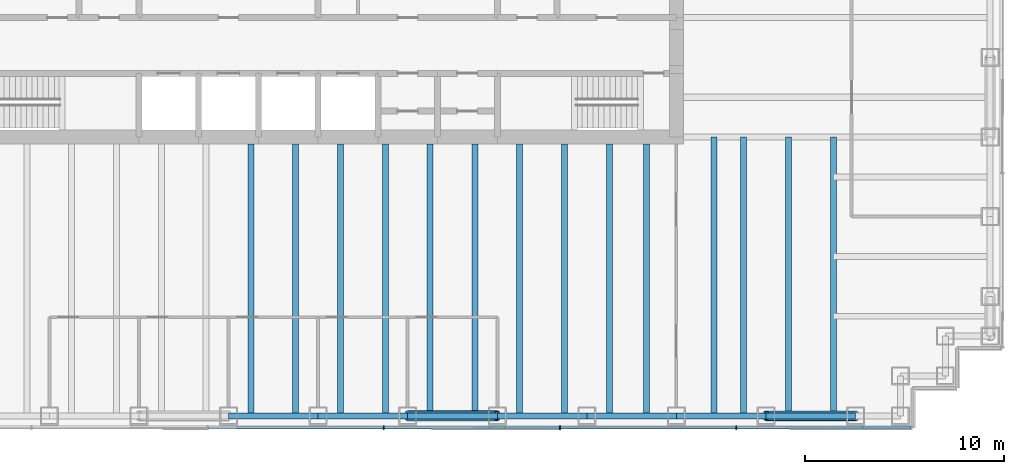
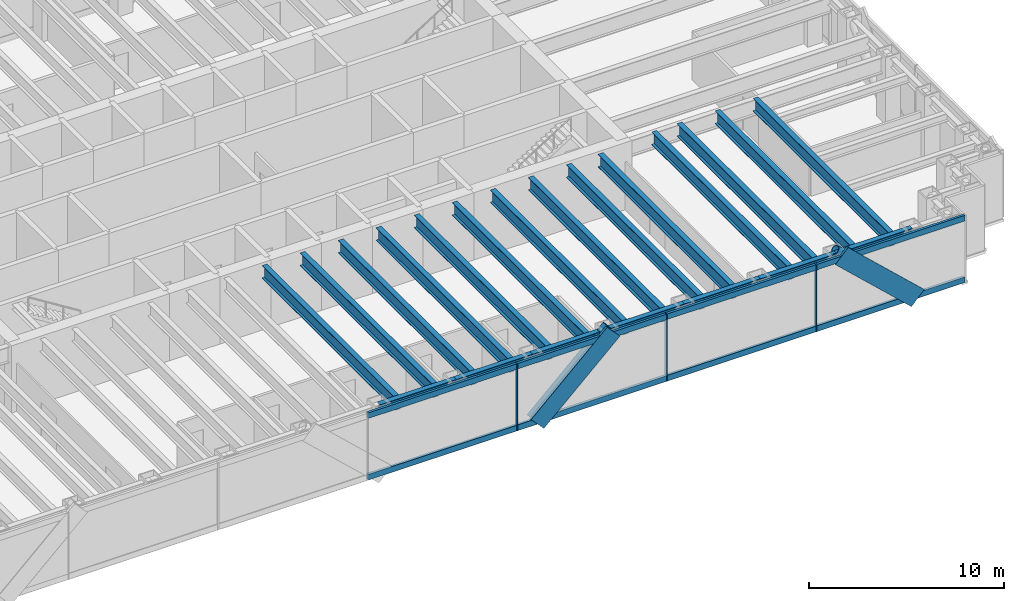
# One storey, part 4 of 15: 21 beams, 15 members, 1 element without a shape of its own.
"""IFC4 building model written with IfcOpenShell, lengths in metres."""

from ifc_helpers import new_model, si_unit, direction, frame, origin, origin_2d, place, context, subcontext, project, spatial, rectangle, hollow_circle, i_section, extrude, material, material_profile, profile_set, type_object, element, aggregate, save


model = new_model("IFC4")

# Units and contexts
model_context = context("Model", 3, precision=1e-05, world=origin(), true_north=direction((0.0, 1.0)))
body_context = subcontext(model_context, "Body", "Model", "MODEL_VIEW")
ifc_project = project(units=[si_unit("LENGTHUNIT", "METRE"), si_unit("AREAUNIT", "SQUARE_METRE"), si_unit("VOLUMEUNIT", "CUBIC_METRE"), si_unit("PLANEANGLEUNIT", "RADIAN"), si_unit("MASSUNIT", "GRAM", prefix="KILO")], contexts=[model_context])

# Site, building, storey
site_placement = place(None, origin())
site = spatial("IfcSite", under=ifc_project, at=site_placement, CompositionType="ELEMENT")
building_placement = place(site_placement, origin())
building = spatial("IfcBuilding", under=site, at=building_placement, Name="Rheinbord Bourse Tower", CompositionType="ELEMENT")
storey_placement = place(building_placement, frame((0.0, 0.0, 308.89990234375)))
storey = spatial("IfcBuildingStorey", under=building, at=storey_placement, Name="L70", CompositionType="ELEMENT", Elevation=308.89990234375)

# Curtain wall, members
ifc_material_1 = material(Name="Dark glass and black aluminium", Category="aluminium")
curtain_wall_type = type_object("IfcCurtainWallType", Name="CW3 DARK GLASS CURTAIN WALL", PredefinedType="USERDEFINED", material=ifc_material_1)
curtain_wall_placement = place(storey_placement, origin())
curtain_wall = element("IfcCurtainWall", 1, at=curtain_wall_placement, inside=storey, type_object=curtain_wall_type, Name="Curtain wall CW3 S L70", ObjectType="UNITISED CURTAIN WALL", PredefinedType="USERDEFINED")
ifc_material_2 = material(Name="Black anodised aluminium", Category="aluminium")
ifc_material_profile_1 = material_profile(ifc_material_2, rectangle(XDim=0.14990234375, YDim=1.10791015625, at=origin_2d()), Name="CW3 DIAGONAL MULLION 1108x150")
ifc_profile_set_1 = profile_set([ifc_material_profile_1], Name="Black anodised aluminium")
member_type_1 = type_object("IfcMemberType", Name="CW3 BLACK DIAGONAL MULLION", PredefinedType="USERDEFINED", material=ifc_profile_set_1)
member_1_placement = place(storey_placement, frame((63.0, 1.39990234375, 0.0), z_axis=(-0.731039441158, 0.0, 0.682335207557), x_axis=(0.0, -1.0, 0.0)))
member_1 = element("IfcMember", 2, at=member_1_placement, type_object=member_type_1, Name="CW3 diagonal mullion a", ObjectType="DIAGONAL MULLION", PredefinedType="USERDEFINED", context=body_context, shape_type="SweptSolid", body=[
    extrude(rectangle(XDim=0.14990234375, YDim=1.10791015625, at=origin_2d()), origin(), (0.0, 0.0, 1.0), 6.155517578125),
])
member_2_placement = place(storey_placement, frame((40.5, 1.39990234375, 0.0), z_axis=(0.731039441158, 0.0, 0.682335207557), x_axis=(0.0, 1.0, 0.0)))
member_2 = element("IfcMember", 3, at=member_2_placement, type_object=member_type_1, Name="CW3 diagonal mullion d", ObjectType="DIAGONAL MULLION", PredefinedType="USERDEFINED", context=body_context, shape_type="SweptSolid", body=[
    extrude(rectangle(XDim=0.14990234375, YDim=1.10791015625, at=origin_2d()), origin(), (0.0, 0.0, 1.0), 6.155517578125),
])
ifc_material_3 = material(Name="Black anodised aluminium", Category="aluminium")
ifc_material_profile_2 = material_profile(ifc_material_3, rectangle(XDim=0.199951171875, YDim=0.06494140625, at=origin_2d()), Name="CW3 MULLION 65x200")
ifc_profile_set_2 = profile_set([ifc_material_profile_2], Name="Black anodised aluminium")
member_type_2 = type_object("IfcMemberType", Name="CW3 BLACK MULLION", PredefinedType="MULLION", material=ifc_profile_set_2)
member_3_placement = place(storey_placement, frame((39.300048828125, 1.39990234375, 0.0), z_axis=(0.0, 0.0, 1.0), x_axis=(0.0, 1.0, 0.0)))
member_3 = element("IfcMember", 4, at=member_3_placement, type_object=member_type_2, Name="CW3 mullion 5", PredefinedType="MULLION", context=body_context, shape_type="SweptSolid", body=[
    extrude(rectangle(XDim=0.199951171875, YDim=0.06494140625, at=origin_2d()), origin(), (0.0, 0.0, 1.0), 4.2001953125),
])
member_4_placement = place(storey_placement, frame((48.14990234375, 1.39990234375, 0.0), z_axis=(0.0, 0.0, 1.0), x_axis=(0.0, 1.0, 0.0)))
member_4 = element("IfcMember", 5, at=member_4_placement, type_object=member_type_2, Name="CW3 mullion 6", PredefinedType="MULLION", context=body_context, shape_type="SweptSolid", body=[
    extrude(rectangle(XDim=0.199951171875, YDim=0.06494140625, at=origin_2d()), origin(), (0.0, 0.0, 1.0), 4.2001953125),
])
member_5_placement = place(storey_placement, frame((57.0, 1.39990234375, 0.0), z_axis=(0.0, 0.0, 1.0), x_axis=(0.0, 1.0, 0.0)))
member_5 = element("IfcMember", 6, at=member_5_placement, type_object=member_type_2, Name="CW3 mullion 7", PredefinedType="MULLION", context=body_context, shape_type="SweptSolid", body=[
    extrude(rectangle(XDim=0.199951171875, YDim=0.06494140625, at=origin_2d()), origin(), (0.0, 0.0, 1.0), 4.2001953125),
])
ifc_material_4 = material(Name="Black anodised aluminium", Category="aluminium")
ifc_material_profile_3 = material_profile(ifc_material_4, rectangle(XDim=0.14990234375, YDim=0.35009765625, at=origin_2d()), Name="CW3 TRANSOM 350x150")
ifc_profile_set_3 = profile_set([ifc_material_profile_3], Name="Black anodised aluminium")
member_type_3 = type_object("IfcMemberType", Name="CW3 BLACK TRANSOM", PredefinedType="USERDEFINED", material=ifc_profile_set_3)
member_6_placement = place(storey_placement, frame((30.482421875, 1.39990234375, 0.175048828125), z_axis=(1.0, 0.0, 0.0), x_axis=(0.0, 1.0, 0.0)))
member_6 = element("IfcMember", 7, at=member_6_placement, type_object=member_type_3, Name="CW3 transom 4.1", ObjectType="TRANSOM", PredefinedType="USERDEFINED", context=body_context, shape_type="SweptSolid", body=[
    extrude(rectangle(XDim=0.14990234375, YDim=0.35009765625, at=origin_2d()), origin(), (0.0, 0.0, 1.0), 8.78515625),
])
member_7_placement = place(storey_placement, frame((30.482421875, 1.39990234375, 4.025146484375), z_axis=(1.0, 0.0, 0.0), x_axis=(0.0, 1.0, 0.0)))
member_7 = element("IfcMember", 8, at=member_7_placement, type_object=member_type_3, Name="CW3 transom 4.2", ObjectType="TRANSOM", PredefinedType="USERDEFINED", context=body_context, shape_type="SweptSolid", body=[
    extrude(rectangle(XDim=0.14990234375, YDim=0.35009765625, at=origin_2d()), origin(), (0.0, 0.0, 1.0), 8.78515625),
])
member_8_placement = place(storey_placement, frame((39.33251953125, 1.39990234375, 0.175048828125), z_axis=(1.0, 0.0, 0.0), x_axis=(0.0, 1.0, 0.0)))
member_8 = element("IfcMember", 9, at=member_8_placement, type_object=member_type_3, Name="CW3 transom 5.1", ObjectType="TRANSOM", PredefinedType="USERDEFINED", context=body_context, shape_type="SweptSolid", body=[
    extrude(rectangle(XDim=0.14990234375, YDim=0.35009765625, at=origin_2d()), origin(), (0.0, 0.0, 1.0), 8.784912109375),
])
member_9_placement = place(storey_placement, frame((39.33251953125, 1.39990234375, 4.025146484375), z_axis=(1.0, 0.0, 0.0), x_axis=(0.0, 1.0, 0.0)))
member_9 = element("IfcMember", 10, at=member_9_placement, type_object=member_type_3, Name="CW3 transom 5.2", ObjectType="TRANSOM", PredefinedType="USERDEFINED", context=body_context, shape_type="SweptSolid", body=[
    extrude(rectangle(XDim=0.14990234375, YDim=0.35009765625, at=origin_2d()), origin(), (0.0, 0.0, 1.0), 8.784912109375),
])
member_10_placement = place(storey_placement, frame((48.1826171875, 1.39990234375, 0.175048828125), z_axis=(1.0, 0.0, 0.0), x_axis=(0.0, 1.0, 0.0)))
member_10 = element("IfcMember", 11, at=member_10_placement, type_object=member_type_3, Name="CW3 transom 6.1", ObjectType="TRANSOM", PredefinedType="USERDEFINED", context=body_context, shape_type="SweptSolid", body=[
    extrude(rectangle(XDim=0.14990234375, YDim=0.35009765625, at=origin_2d()), origin(), (0.0, 0.0, 1.0), 8.784912109375),
])
member_11_placement = place(storey_placement, frame((48.1826171875, 1.39990234375, 4.025146484375), z_axis=(1.0, 0.0, 0.0), x_axis=(0.0, 1.0, 0.0)))
member_11 = element("IfcMember", 12, at=member_11_placement, type_object=member_type_3, Name="CW3 transom 6.2", ObjectType="TRANSOM", PredefinedType="USERDEFINED", context=body_context, shape_type="SweptSolid", body=[
    extrude(rectangle(XDim=0.14990234375, YDim=0.35009765625, at=origin_2d()), origin(), (0.0, 0.0, 1.0), 8.784912109375),
])
member_12_placement = place(storey_placement, frame((57.032470703125, 1.39990234375, 0.175048828125), z_axis=(1.0, 0.0, 0.0), x_axis=(0.0, 1.0, 0.0)))
member_12 = element("IfcMember", 13, at=member_12_placement, type_object=member_type_3, Name="CW3 transom 7.1", ObjectType="TRANSOM", PredefinedType="USERDEFINED", context=body_context, shape_type="SweptSolid", body=[
    extrude(rectangle(XDim=0.14990234375, YDim=0.35009765625, at=origin_2d()), origin(), (0.0, 0.0, 1.0), 8.75244140625),
])
member_13_placement = place(storey_placement, frame((57.032470703125, 1.39990234375, 4.025146484375), z_axis=(1.0, 0.0, 0.0), x_axis=(0.0, 1.0, 0.0)))
member_13 = element("IfcMember", 14, at=member_13_placement, type_object=member_type_3, Name="CW3 transom 7.2", ObjectType="TRANSOM", PredefinedType="USERDEFINED", context=body_context, shape_type="SweptSolid", body=[
    extrude(rectangle(XDim=0.14990234375, YDim=0.35009765625, at=origin_2d()), origin(), (0.0, 0.0, 1.0), 8.75244140625),
])
aggregate(curtain_wall, [member_3, member_4, member_5, member_6, member_7, member_8, member_9, member_10, member_11, member_12, member_13, member_1, member_2])

# Beams
ifc_material_5 = material(Name="Steel S460", Category="steel")
ifc_material_profile_4 = material_profile(ifc_material_5, i_section(OverallWidth=0.300048828125, OverallDepth=0.800048828125, WebThickness=0.017578125, FlangeThickness=0.032958984375, at=origin_2d()), Name="HEB 800")
ifc_profile_set_4 = profile_set([ifc_material_profile_4], Name="Steel S460")
beam_type_1 = type_object("IfcBeamType", Name="FLOOR BEAM HEB 800", PredefinedType="BEAM", material=ifc_profile_set_4)
for number, where, z_axis, x_axis, name in (
    (15, (32.625, 2.0, 3.64013671875), (0.0, 1.0, 0.0), (-1.0, 0.0, 0.0), "Floor beam S-31.5a L71"),
    (16, (34.875, 2.0, 3.64013671875), (0.0, 1.0, 0.0), (-1.0, 0.0, 0.0), "Floor beam S-31.5b L71"),
    (17, (37.125, 2.0, 3.64013671875), (0.0, 1.0, 0.0), (-1.0, 0.0, 0.0), "Floor beam S-36a L71"),
    (18, (39.375, 2.0, 3.64013671875), (0.0, 1.0, 0.0), (-1.0, 0.0, 0.0), "Floor beam S-36b L71"),
    (19, (41.625, 2.0, 3.64013671875), (0.0, 1.0, 0.0), (-1.0, 0.0, 0.0), "Floor beam S-40.5a L71"),
    (20, (43.875, 2.0, 3.64013671875), (0.0, 1.0, 0.0), (-1.0, 0.0, 0.0), "Floor beam S-40.5b L71"),
    (21, (46.125, 2.0, 3.64013671875), (0.0, 1.0, 0.0), (-1.0, 0.0, 0.0), "Floor beam S-45a L71"),
    (22, (48.375, 2.0, 3.64013671875), (0.0, 1.0, 0.0), (-1.0, 0.0, 0.0), "Floor beam S-45b L71"),
    (23, (50.625, 2.0, 3.64013671875), (0.0, 1.0, 0.0), (-1.0, 0.0, 0.0), "Floor beam S-49.5a L71"),
    (24, (52.5, 2.0, 3.64013671875), (0.0, 1.0, 0.0), (-1.0, 0.0, 0.0), "Floor beam S-49.5b L71"),
):
    element("IfcBeam", number, at=place(storey_placement, frame(where, z_axis=z_axis, x_axis=x_axis)), inside=storey, type_object=beam_type_1, Name=name, PredefinedType="BEAM", context=body_context, shape_type="SweptSolid", body=[
        extrude(i_section(OverallWidth=0.300048828125, OverallDepth=0.800048828125, WebThickness=0.017578125, FlangeThickness=0.032958984375, at=origin_2d()), origin(), (0.0, 0.0, 1.0), 13.64990234375),
    ])
for number, where, z_axis, x_axis, name in (
    (25, (55.875, 2.0, 3.64013671875), (0.0, 1.0, 0.0), (-1.0, 0.0, 0.0), "Floor beam S-54a L71"),
    (26, (57.375, 2.0, 3.64013671875), (0.0, 1.0, 0.0), (-1.0, 0.0, 0.0), "Floor beam S-54b L71"),
    (27, (59.625, 2.0, 3.64013671875), (0.0, 1.0, 0.0), (-1.0, 0.0, 0.0), "Floor beam S-58.5a L71"),
    (28, (61.875, 2.0, 3.64013671875), (0.0, 1.0, 0.0), (-1.0, 0.0, 0.0), "Floor beam S-58.5b L71"),
):
    element("IfcBeam", number, at=place(storey_placement, frame(where, z_axis=z_axis, x_axis=x_axis)), inside=storey, type_object=beam_type_1, Name=name, PredefinedType="BEAM", context=body_context, shape_type="SweptSolid", body=[
        extrude(i_section(OverallWidth=0.300048828125, OverallDepth=0.800048828125, WebThickness=0.017578125, FlangeThickness=0.032958984375, at=origin_2d()), origin(), (0.0, 0.0, 1.0), 14.0),
    ])

# Members
ifc_material_6 = material(Name="Steel S460", Category="steel")
ifc_material_profile_5 = material_profile(ifc_material_6, hollow_circle(Radius=0.25390625, WallThickness=0.030029296875, at=origin_2d()), Name="CHS 508x30")
ifc_profile_set_5 = profile_set([ifc_material_profile_5], Name="Steel S460")
member_type_4 = type_object("IfcMemberType", Name="MEGABRACE CHS 508x30", PredefinedType="BRACE", material=ifc_profile_set_5)
for number, where, z_axis, x_axis, name in (
    (29, (63.0, 2.0, 0.0), (-0.731039441158, 0.0, 0.682335207557), (0.0, -1.0, 0.0), "Megabrace S face line a L70"),
    (30, (40.5, 2.0, 0.0), (0.731039441158, 0.0, 0.682335207557), (0.0, 1.0, 0.0), "Megabrace S face line d L70"),
):
    element("IfcMember", number, at=place(storey_placement, frame(where, z_axis=z_axis, x_axis=x_axis)), inside=storey, type_object=member_type_4, Name=name, PredefinedType="BRACE", context=body_context, shape_type="SweptSolid", body=[
        extrude(hollow_circle(Radius=0.25390625, WallThickness=0.030029296875, at=origin_2d()), origin(), (0.0, 0.0, 1.0), 6.155517578125),
    ])

# Beams
ifc_material_7 = material(Name="Steel S460", Category="steel")
ifc_material_profile_6 = material_profile(ifc_material_7, i_section(OverallWidth=0.300048828125, OverallDepth=0.550048828125, WebThickness=0.014892578125, FlangeThickness=0.029052734375, at=origin_2d()), Name="HEB 550")
ifc_profile_set_6 = profile_set([ifc_material_profile_6], Name="Steel S460")
beam_type_2 = type_object("IfcBeamType", Name="SPANDREL HEB 550", PredefinedType="SPANDREL", material=ifc_profile_set_6)
for number, where, z_axis, x_axis, name in (
    (31, (31.5, 2.0, 3.76513671875), (1.0, 0.0, 0.0), (0.0, 1.0, 0.0), "Spandrel S-31.5-S-36 under L71"),
    (32, (36.0, 2.0, 3.76513671875), (1.0, 0.0, 0.0), (0.0, 1.0, 0.0), "Spandrel S-36-S-40.5 under L71"),
    (33, (40.5, 2.0, 3.76513671875), (1.0, 0.0, 0.0), (0.0, 1.0, 0.0), "Spandrel S-40.5-S-45 under L71"),
    (34, (45.0, 2.0, 3.76513671875), (1.0, 0.0, 0.0), (0.0, 1.0, 0.0), "Spandrel S-45-S-49.5 under L71"),
    (35, (49.5, 2.0, 3.76513671875), (1.0, 0.0, 0.0), (0.0, 1.0, 0.0), "Spandrel S-49.5-S-54 under L71"),
    (36, (54.0, 2.0, 3.76513671875), (1.0, 0.0, 0.0), (0.0, 1.0, 0.0), "Spandrel S-54-S-58.5 under L71"),
    (37, (58.5, 2.0, 3.76513671875), (1.0, 0.0, 0.0), (0.0, 1.0, 0.0), "Spandrel S-58.5-S-63 under L71"),
):
    element("IfcBeam", number, at=place(storey_placement, frame(where, z_axis=z_axis, x_axis=x_axis)), inside=storey, type_object=beam_type_2, Name=name, PredefinedType="SPANDREL", context=body_context, shape_type="SweptSolid", body=[
        extrude(i_section(OverallWidth=0.300048828125, OverallDepth=0.550048828125, WebThickness=0.014892578125, FlangeThickness=0.029052734375, at=origin_2d()), origin(), (0.0, 0.0, 1.0), 4.5),
    ])

save(model, "model.ifc")
